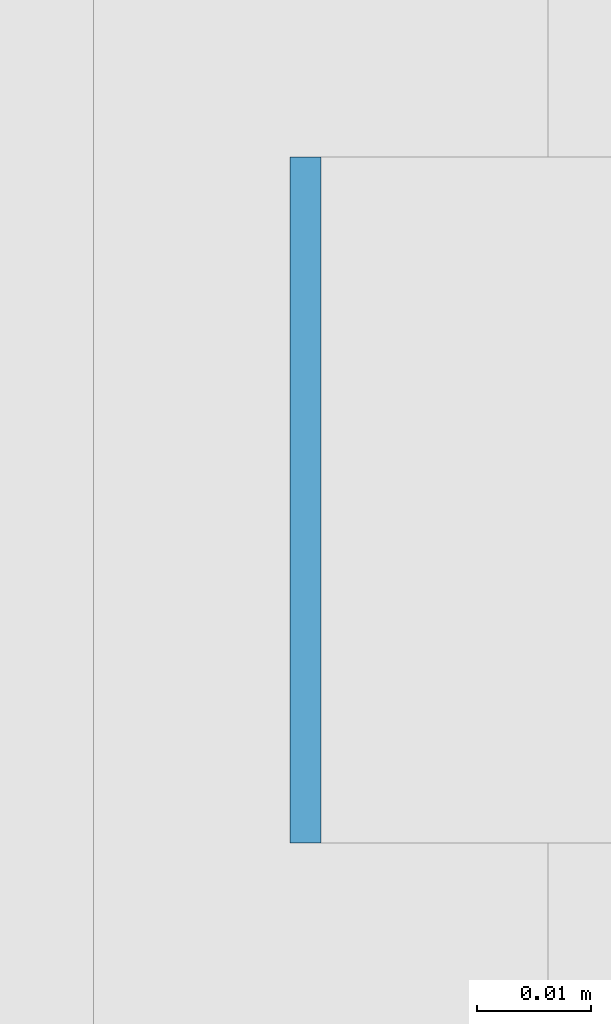
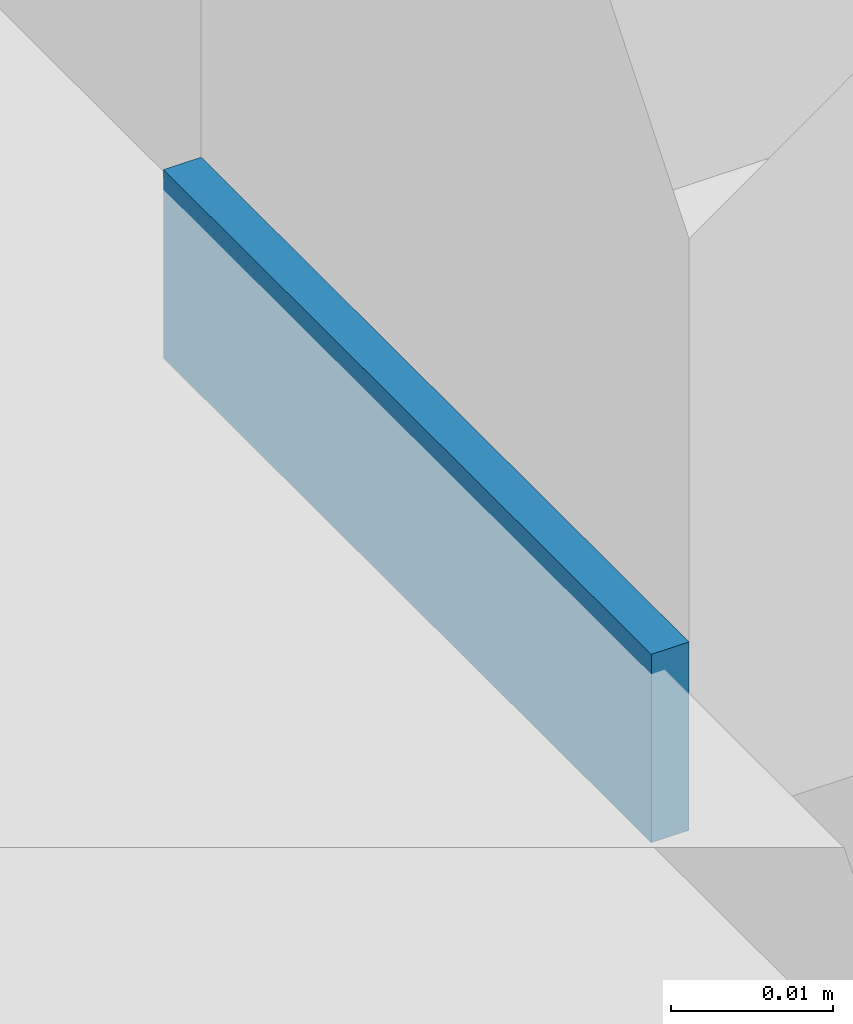
# One storey, part 466 of 646: 1 discrete accessory.
"""IFC4 building model written with IfcOpenShell, lengths in metres."""

from ifc_helpers import new_model, si_unit, direction, frame, origin, origin_2d, place, context, subcontext, project, spatial, rectangle, extrude, material, type_object, element, save


model = new_model("IFC4")

# Units and contexts
model_context = context("Model", 3, precision=1e-05, world=origin(), true_north=direction((0.0, 1.0)))
body_context = subcontext(model_context, "Body", "Model", "MODEL_VIEW")
ifc_project = project(units=[si_unit("LENGTHUNIT", "METRE"), si_unit("AREAUNIT", "SQUARE_METRE"), si_unit("VOLUMEUNIT", "CUBIC_METRE"), si_unit("PLANEANGLEUNIT", "RADIAN"), si_unit("MASSUNIT", "GRAM", prefix="KILO")], contexts=[model_context])

# Site, building, storey
site_placement = place(None, origin())
site = spatial("IfcSite", under=ifc_project, at=site_placement, CompositionType="ELEMENT")
building_placement = place(site_placement, origin())
building = spatial("IfcBuilding", under=site, at=building_placement, Name="Silverbay Arena", CompositionType="ELEMENT")
storey_placement = place(building_placement, frame((0.0, 0.0, 33.5)))
storey = spatial("IfcBuildingStorey", under=building, at=storey_placement, Name="L05", CompositionType="ELEMENT", Elevation=33.5)

# Discrete accessory
ifc_material = material(Name="Steel S355", Category="steel")
discrete_accessory_type = type_object("IfcDiscreteAccessoryType", Name="Steel bracket plate", PredefinedType="BRACKET", material=ifc_material)
discrete_accessory_placement = place(storey_placement, frame((207.128662109375, 47.571533203125, 4.0), z_axis=(0.0, 0.0, 1.0), x_axis=(1.0, 0.0, 0.0)))
element("IfcDiscreteAccessory", 1, at=discrete_accessory_placement, inside=storey, type_object=discrete_accessory_type, Name="Curtain wall packing plate", PredefinedType="BRACKET", context=body_context, shape_type="SweptSolid", body=[
    extrude(rectangle(XDim=0.002685546875, YDim=0.06005859375, at=origin_2d()), origin(), (0.0, 0.0, 1.0), 0.01416015625),
])

save(model, "model.ifc")
